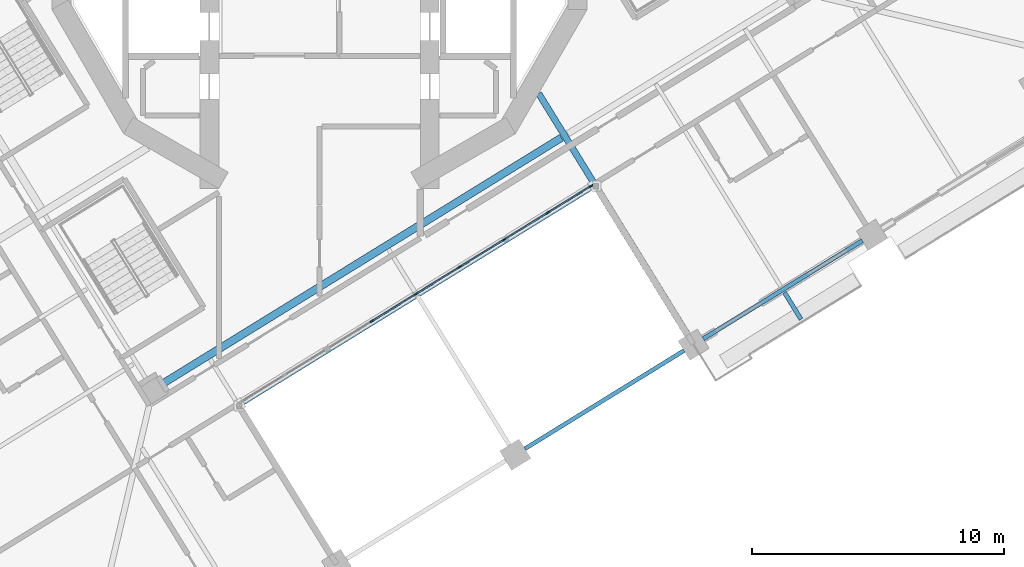
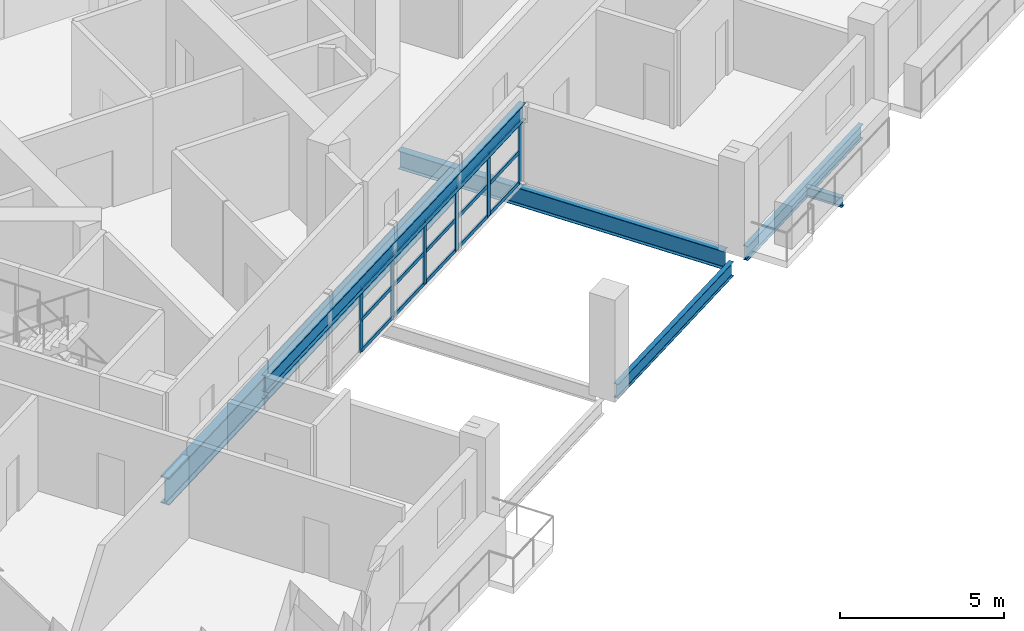
# One storey, part 4 of 22: 21 members, 6 beams, 1 element without a shape of its own.
"""IFC4 building model written with IfcOpenShell, lengths in metres."""

from ifc_helpers import new_model, si_unit, direction, frame, origin, origin_2d, place, context, subcontext, project, spatial, rectangle, i_section, extrude, material, material_profile, profile_set, type_object, element, aggregate, save


model = new_model("IFC4")

# Units and contexts
model_context = context("Model", 3, precision=1e-05, world=origin(), true_north=direction((0.0, 1.0)))
body_context = subcontext(model_context, "Body", "Model", "MODEL_VIEW")
ifc_project = project(units=[si_unit("LENGTHUNIT", "METRE"), si_unit("AREAUNIT", "SQUARE_METRE"), si_unit("VOLUMEUNIT", "CUBIC_METRE"), si_unit("PLANEANGLEUNIT", "RADIAN"), si_unit("MASSUNIT", "GRAM", prefix="KILO")], contexts=[model_context])

# Site, building, storey
site_placement = place(None, origin())
site = spatial("IfcSite", under=ifc_project, at=site_placement, CompositionType="ELEMENT")
building_placement = place(site_placement, origin())
building = spatial("IfcBuilding", under=site, at=building_placement, Name="Cantera Rosa Tower", CompositionType="ELEMENT")
storey_placement = place(building_placement, frame((0.0, 0.0, 178.0)))
storey = spatial("IfcBuildingStorey", under=building, at=storey_placement, Name="L39", CompositionType="ELEMENT", Elevation=178.0)

# Curtain wall, members
ifc_material_1 = material(Name="Aluminium frame with clear glass", Category="aluminium")
curtain_wall_type = type_object("IfcCurtainWallType", Name="CW1 TERRACE POCKET GLAZING", PredefinedType="NOTDEFINED", material=ifc_material_1)
curtain_wall_placement = place(storey_placement, origin())
curtain_wall = element("IfcCurtainWall", 1, at=curtain_wall_placement, inside=storey, type_object=curtain_wall_type, Name="CW1 CW1", PredefinedType="NOTDEFINED")
ifc_material_2 = material(Name="Anodised bronze aluminium", Category="aluminium")
ifc_material_profile_1 = material_profile(ifc_material_2, rectangle(XDim=0.06005859375, YDim=0.179931640625, at=origin_2d()), Name="CW-MULLION 60x180 POCKET")
ifc_profile_set_1 = profile_set([ifc_material_profile_1], Name="Anodised bronze aluminium")
member_type_1 = type_object("IfcMemberType", Name="CW-MULLION 60x180 POCKET", PredefinedType="MULLION", material=ifc_profile_set_1)
member_1_placement = place(storey_placement, frame((2.091552734375, -15.217529296875, 0.0), z_axis=(0.0, 0.0, 1.0), x_axis=(-0.524976580354, 0.851116672425, 0.0)))
member_1 = element("IfcMember", 2, at=member_1_placement, type_object=member_type_1, Name="CW1 mullion 4", PredefinedType="MULLION", context=body_context, shape_type="SweptSolid", body=[
    extrude(rectangle(XDim=0.06005859375, YDim=0.179931640625, at=origin_2d()), origin(), (0.0, 0.0, 1.0), 2.337890625),
])
member_2_placement = place(storey_placement, frame((3.835205078125, -14.14208984375, 0.0), z_axis=(0.0, 0.0, 1.0), x_axis=(-0.524976580354, 0.851116672425, 0.0)))
member_2 = element("IfcMember", 3, at=member_2_placement, type_object=member_type_1, Name="CW1 mullion 5", PredefinedType="MULLION", context=body_context, shape_type="SweptSolid", body=[
    extrude(rectangle(XDim=0.06005859375, YDim=0.179931640625, at=origin_2d()), origin(), (0.0, 0.0, 1.0), 2.337890625),
])
member_3_placement = place(storey_placement, frame((5.5791015625, -13.066650390625, 0.0), z_axis=(0.0, 0.0, 1.0), x_axis=(-0.524976580354, 0.851116672425, 0.0)))
member_3 = element("IfcMember", 4, at=member_3_placement, type_object=member_type_1, Name="CW1 mullion 6", PredefinedType="MULLION", context=body_context, shape_type="SweptSolid", body=[
    extrude(rectangle(XDim=0.06005859375, YDim=0.179931640625, at=origin_2d()), origin(), (0.0, 0.0, 1.0), 2.337890625),
])
member_4_placement = place(storey_placement, frame((7.32275390625, -11.990966796875, 0.0), z_axis=(0.0, 0.0, 1.0), x_axis=(-0.524976580354, 0.851116672425, 0.0)))
member_4 = element("IfcMember", 5, at=member_4_placement, type_object=member_type_1, Name="CW1 mullion 7", PredefinedType="MULLION", context=body_context, shape_type="SweptSolid", body=[
    extrude(rectangle(XDim=0.06005859375, YDim=0.179931640625, at=origin_2d()), origin(), (0.0, 0.0, 1.0), 2.337890625),
])
member_5_placement = place(storey_placement, frame((9.06640625, -10.91552734375, 0.0), z_axis=(0.0, 0.0, 1.0), x_axis=(-0.524976580354, 0.851116672425, 0.0)))
member_5 = element("IfcMember", 6, at=member_5_placement, type_object=member_type_1, Name="CW1 mullion 8", PredefinedType="MULLION", context=body_context, shape_type="SweptSolid", body=[
    extrude(rectangle(XDim=0.06005859375, YDim=0.179931640625, at=origin_2d()), origin(), (0.0, 0.0, 1.0), 2.337890625),
])
member_6_placement = place(storey_placement, frame((10.78466796875, -9.855712890625, 0.0), z_axis=(0.0, 0.0, 1.0), x_axis=(-0.524976580354, 0.851116672425, 0.0)))
member_6 = element("IfcMember", 7, at=member_6_placement, type_object=member_type_1, Name="CW1 mullion 9", PredefinedType="MULLION", context=body_context, shape_type="SweptSolid", body=[
    extrude(rectangle(XDim=0.06005859375, YDim=0.179931640625, at=origin_2d()), origin(), (0.0, 0.0, 1.0), 2.337890625),
])
ifc_material_3 = material(Name="Anodised bronze aluminium", Category="aluminium")
ifc_material_profile_2 = material_profile(ifc_material_3, rectangle(XDim=0.06005859375, YDim=0.139892578125, at=origin_2d()), Name="CW-TRANSOM 60x140 POCKET")
ifc_profile_set_2 = profile_set([ifc_material_profile_2], Name="Anodised bronze aluminium")
member_type_2 = type_object("IfcMemberType", Name="CW-TRANSOM 60x140 POCKET", PredefinedType="USERDEFINED", material=ifc_profile_set_2)
member_7_placement = place(storey_placement, frame((2.1171875, -15.201904296875, 0.030029296875), z_axis=(0.851135216516, 0.524946514615, 0.0), x_axis=(-0.524946514615, 0.851135216516, 0.0)))
member_7 = element("IfcMember", 8, at=member_7_placement, type_object=member_type_2, Name="CW1 transom 4.1", ObjectType="TRANSOM", PredefinedType="USERDEFINED", context=body_context, shape_type="SweptSolid", body=[
    extrude(rectangle(XDim=0.06005859375, YDim=0.139892578125, at=origin_2d()), origin(), (0.0, 0.0, 1.0), 1.98876953125),
])
member_8_placement = place(storey_placement, frame((2.1171875, -15.201904296875, 1.1689453125), z_axis=(0.851135216516, 0.524946514615, 0.0), x_axis=(-0.524946514615, 0.851135216516, 0.0)))
member_8 = element("IfcMember", 9, at=member_8_placement, type_object=member_type_2, Name="CW1 transom 4.2", ObjectType="TRANSOM", PredefinedType="USERDEFINED", context=body_context, shape_type="SweptSolid", body=[
    extrude(rectangle(XDim=0.06005859375, YDim=0.139892578125, at=origin_2d()), origin(), (0.0, 0.0, 1.0), 1.98876953125),
])
member_9_placement = place(storey_placement, frame((2.1171875, -15.201904296875, 2.30810546875), z_axis=(0.851135216516, 0.524946514615, 0.0), x_axis=(-0.524946514615, 0.851135216516, 0.0)))
member_9 = element("IfcMember", 10, at=member_9_placement, type_object=member_type_2, Name="CW1 transom 4.3", ObjectType="TRANSOM", PredefinedType="USERDEFINED", context=body_context, shape_type="SweptSolid", body=[
    extrude(rectangle(XDim=0.06005859375, YDim=0.139892578125, at=origin_2d()), origin(), (0.0, 0.0, 1.0), 1.98876953125),
])
member_10_placement = place(storey_placement, frame((3.86083984375, -14.126220703125, 0.030029296875), z_axis=(0.851135216516, 0.524946514615, 0.0), x_axis=(-0.524946514615, 0.851135216516, 0.0)))
member_10 = element("IfcMember", 11, at=member_10_placement, type_object=member_type_2, Name="CW1 transom 5.1", ObjectType="TRANSOM", PredefinedType="USERDEFINED", context=body_context, shape_type="SweptSolid", body=[
    extrude(rectangle(XDim=0.06005859375, YDim=0.139892578125, at=origin_2d()), origin(), (0.0, 0.0, 1.0), 1.98876953125),
])
member_11_placement = place(storey_placement, frame((3.86083984375, -14.126220703125, 1.1689453125), z_axis=(0.851135216516, 0.524946514615, 0.0), x_axis=(-0.524946514615, 0.851135216516, 0.0)))
member_11 = element("IfcMember", 12, at=member_11_placement, type_object=member_type_2, Name="CW1 transom 5.2", ObjectType="TRANSOM", PredefinedType="USERDEFINED", context=body_context, shape_type="SweptSolid", body=[
    extrude(rectangle(XDim=0.06005859375, YDim=0.139892578125, at=origin_2d()), origin(), (0.0, 0.0, 1.0), 1.98876953125),
])
member_12_placement = place(storey_placement, frame((3.86083984375, -14.126220703125, 2.30810546875), z_axis=(0.851135216516, 0.524946514615, 0.0), x_axis=(-0.524946514615, 0.851135216516, 0.0)))
member_12 = element("IfcMember", 13, at=member_12_placement, type_object=member_type_2, Name="CW1 transom 5.3", ObjectType="TRANSOM", PredefinedType="USERDEFINED", context=body_context, shape_type="SweptSolid", body=[
    extrude(rectangle(XDim=0.06005859375, YDim=0.139892578125, at=origin_2d()), origin(), (0.0, 0.0, 1.0), 1.98876953125),
])
member_13_placement = place(storey_placement, frame((5.6044921875, -13.05078125, 0.030029296875), z_axis=(0.851135216516, 0.524946514615, 0.0), x_axis=(-0.524946514615, 0.851135216516, 0.0)))
member_13 = element("IfcMember", 14, at=member_13_placement, type_object=member_type_2, Name="CW1 transom 6.1", ObjectType="TRANSOM", PredefinedType="USERDEFINED", context=body_context, shape_type="SweptSolid", body=[
    extrude(rectangle(XDim=0.06005859375, YDim=0.139892578125, at=origin_2d()), origin(), (0.0, 0.0, 1.0), 1.98876953125),
])
member_14_placement = place(storey_placement, frame((5.6044921875, -13.05078125, 1.1689453125), z_axis=(0.851135216516, 0.524946514615, 0.0), x_axis=(-0.524946514615, 0.851135216516, 0.0)))
member_14 = element("IfcMember", 15, at=member_14_placement, type_object=member_type_2, Name="CW1 transom 6.2", ObjectType="TRANSOM", PredefinedType="USERDEFINED", context=body_context, shape_type="SweptSolid", body=[
    extrude(rectangle(XDim=0.06005859375, YDim=0.139892578125, at=origin_2d()), origin(), (0.0, 0.0, 1.0), 1.98876953125),
])
member_15_placement = place(storey_placement, frame((5.6044921875, -13.05078125, 2.30810546875), z_axis=(0.851135216516, 0.524946514615, 0.0), x_axis=(-0.524946514615, 0.851135216516, 0.0)))
member_15 = element("IfcMember", 16, at=member_15_placement, type_object=member_type_2, Name="CW1 transom 6.3", ObjectType="TRANSOM", PredefinedType="USERDEFINED", context=body_context, shape_type="SweptSolid", body=[
    extrude(rectangle(XDim=0.06005859375, YDim=0.139892578125, at=origin_2d()), origin(), (0.0, 0.0, 1.0), 1.98876953125),
])
member_16_placement = place(storey_placement, frame((7.34814453125, -11.975341796875, 0.030029296875), z_axis=(0.851114197999, 0.524980591988, 0.0), x_axis=(-0.524980591988, 0.851114197999, 0.0)))
member_16 = element("IfcMember", 17, at=member_16_placement, type_object=member_type_2, Name="CW1 transom 7.1", ObjectType="TRANSOM", PredefinedType="USERDEFINED", context=body_context, shape_type="SweptSolid", body=[
    extrude(rectangle(XDim=0.06005859375, YDim=0.139892578125, at=origin_2d()), origin(), (0.0, 0.0, 1.0), 1.989013671875),
])
member_17_placement = place(storey_placement, frame((7.34814453125, -11.975341796875, 1.1689453125), z_axis=(0.851114197999, 0.524980591988, 0.0), x_axis=(-0.524980591988, 0.851114197999, 0.0)))
member_17 = element("IfcMember", 18, at=member_17_placement, type_object=member_type_2, Name="CW1 transom 7.2", ObjectType="TRANSOM", PredefinedType="USERDEFINED", context=body_context, shape_type="SweptSolid", body=[
    extrude(rectangle(XDim=0.06005859375, YDim=0.139892578125, at=origin_2d()), origin(), (0.0, 0.0, 1.0), 1.989013671875),
])
member_18_placement = place(storey_placement, frame((7.34814453125, -11.975341796875, 2.30810546875), z_axis=(0.851114197999, 0.524980591988, 0.0), x_axis=(-0.524980591988, 0.851114197999, 0.0)))
member_18 = element("IfcMember", 19, at=member_18_placement, type_object=member_type_2, Name="CW1 transom 7.3", ObjectType="TRANSOM", PredefinedType="USERDEFINED", context=body_context, shape_type="SweptSolid", body=[
    extrude(rectangle(XDim=0.06005859375, YDim=0.139892578125, at=origin_2d()), origin(), (0.0, 0.0, 1.0), 1.989013671875),
])
member_19_placement = place(storey_placement, frame((9.092041015625, -10.899658203125, 0.030029296875), z_axis=(0.851092896091, 0.525015125708, 0.0), x_axis=(-0.525015125708, 0.851092896091, 0.0)))
member_19 = element("IfcMember", 20, at=member_19_placement, type_object=member_type_2, Name="CW1 transom 8.1", ObjectType="TRANSOM", PredefinedType="USERDEFINED", context=body_context, shape_type="SweptSolid", body=[
    extrude(rectangle(XDim=0.06005859375, YDim=0.139892578125, at=origin_2d()), origin(), (0.0, 0.0, 1.0), 1.958740234375),
])
member_20_placement = place(storey_placement, frame((9.092041015625, -10.899658203125, 1.1689453125), z_axis=(0.851092896091, 0.525015125708, 0.0), x_axis=(-0.525015125708, 0.851092896091, 0.0)))
member_20 = element("IfcMember", 21, at=member_20_placement, type_object=member_type_2, Name="CW1 transom 8.2", ObjectType="TRANSOM", PredefinedType="USERDEFINED", context=body_context, shape_type="SweptSolid", body=[
    extrude(rectangle(XDim=0.06005859375, YDim=0.139892578125, at=origin_2d()), origin(), (0.0, 0.0, 1.0), 1.958740234375),
])
member_21_placement = place(storey_placement, frame((9.092041015625, -10.899658203125, 2.30810546875), z_axis=(0.851092896091, 0.525015125708, 0.0), x_axis=(-0.525015125708, 0.851092896091, 0.0)))
member_21 = element("IfcMember", 22, at=member_21_placement, type_object=member_type_2, Name="CW1 transom 8.3", ObjectType="TRANSOM", PredefinedType="USERDEFINED", context=body_context, shape_type="SweptSolid", body=[
    extrude(rectangle(XDim=0.06005859375, YDim=0.139892578125, at=origin_2d()), origin(), (0.0, 0.0, 1.0), 1.958740234375),
])
aggregate(curtain_wall, [member_1, member_2, member_3, member_4, member_5, member_6, member_7, member_8, member_9, member_10, member_11, member_12, member_13, member_14, member_15, member_16, member_17, member_18, member_19, member_20, member_21])

# Beams
ifc_material_4 = material(Name="Steel ASTM A992 (Fy 345 MPa)", Category="steel")
ifc_material_profile_3 = material_profile(ifc_material_4, i_section(OverallWidth=0.302001953125, OverallDepth=1.010009765625, WebThickness=0.02099609375, FlangeThickness=0.0400390625, FilletRadius=0.030029296875, at=origin_2d()), Name="W1000X350")
ifc_profile_set_3 = profile_set([ifc_material_profile_3], Name="Steel ASTM A992 (Fy 345 MPa)")
beam_type_1 = type_object("IfcBeamType", Name="STEEL BEAM W1000X350", PredefinedType="BEAM", material=ifc_profile_set_3)
beam_1_placement = place(storey_placement, frame((-6.231689453125, -17.707763671875, -0.7548828125), z_axis=(0.851118702028, 0.524973289852, 0.0), x_axis=(-0.524973289852, 0.851118702028, 0.0)))
element("IfcBeam", 23, at=beam_1_placement, inside=storey, type_object=beam_type_1, Name="RB-Z3-03 L39", PredefinedType="BEAM", context=body_context, shape_type="SweptSolid", body=[
    extrude(i_section(OverallWidth=0.302001953125, OverallDepth=1.010009765625, WebThickness=0.02099609375, FlangeThickness=0.0400390625, FilletRadius=0.030029296875, at=origin_2d()), origin(), (0.0, 0.0, 1.0), 18.610107421875),
])
ifc_material_5 = material(Name="Steel ASTM A992 (Fy 345 MPa)", Category="steel")
ifc_material_profile_4 = material_profile(ifc_material_5, i_section(OverallWidth=0.22802734375, OverallDepth=0.60205078125, WebThickness=0.010498046875, FlangeThickness=0.014892578125, FilletRadius=0.0126953125, at=origin_2d()), Name="W610X101")
ifc_profile_set_4 = profile_set([ifc_material_profile_4], Name="Steel ASTM A992 (Fy 345 MPa)")
beam_type_2 = type_object("IfcBeamType", Name="STEEL BEAM W610X101", PredefinedType="BEAM", material=ifc_profile_set_4)
beam_2_placement = place(storey_placement, frame((-3.17724609375, -18.526123046875, 2.64111328125), z_axis=(0.851119648032, 0.524971756129, 0.0), x_axis=(-0.524971756129, 0.851119648032, 0.0)))
element("IfcBeam", 24, at=beam_2_placement, inside=storey, type_object=beam_type_2, Name="LINTEL SL-L39", PredefinedType="BEAM", context=body_context, shape_type="SweptSolid", body=[
    extrude(i_section(OverallWidth=0.22802734375, OverallDepth=0.60205078125, WebThickness=0.010498046875, FlangeThickness=0.014892578125, FilletRadius=0.0126953125, at=origin_2d()), origin(), (0.0, 0.0, 1.0), 16.5400390625),
])
ifc_material_6 = material(Name="Steel ASTM A992 (Fy 345 MPa)", Category="steel")
ifc_material_profile_5 = material_profile(ifc_material_6, i_section(OverallWidth=0.25390625, OverallDepth=0.677978515625, WebThickness=0.01171875, FlangeThickness=0.016357421875, FilletRadius=0.01513671875, at=origin_2d()), Name="W690X125")
ifc_profile_set_5 = profile_set([ifc_material_profile_5], Name="Steel ASTM A992 (Fy 345 MPa)")
beam_type_3 = type_object("IfcBeamType", Name="STEEL BEAM W690X125", PredefinedType="BEAM", material=ifc_profile_set_5)
beam_3_placement = place(storey_placement, frame((14.61767578125, -15.774658203125, -0.589111328125), z_axis=(-0.524984160378, 0.85111199695, 0.0), x_axis=(-0.85111199695, -0.524984160378, 0.0)))
element("IfcBeam", 25, at=beam_3_placement, inside=storey, type_object=beam_type_3, Name="G-Z3-11 L39", PredefinedType="BEAM", context=body_context, shape_type="SweptSolid", body=[
    extrude(i_section(OverallWidth=0.25390625, OverallDepth=0.677978515625, WebThickness=0.01171875, FlangeThickness=0.016357421875, FilletRadius=0.01513671875, at=origin_2d()), origin(), (0.0, 0.0, 1.0), 11.271728515625),
])
ifc_material_7 = material(Name="Steel ASTM A992 (Fy 345 MPa)", Category="steel")
ifc_material_profile_6 = material_profile(ifc_material_7, i_section(OverallWidth=0.1708984375, OverallDepth=0.35595703125, WebThickness=0.00732421875, FlangeThickness=0.01171875, FilletRadius=0.010009765625, at=origin_2d()), Name="W360X51")
ifc_profile_set_6 = profile_set([ifc_material_profile_6], Name="Steel ASTM A992 (Fy 345 MPa)")
beam_type_4 = type_object("IfcBeamType", Name="STEEL JOIST W360X51", PredefinedType="JOIST", material=ifc_profile_set_6)
beam_4_placement = place(storey_placement, frame((18.462890625, -14.08447265625, -0.427978515625), z_axis=(0.524968880559, -0.851121421681, 0.0), x_axis=(0.851121421681, 0.524968880559, 0.0)))
element("IfcBeam", 26, at=beam_4_placement, inside=storey, type_object=beam_type_4, Name="BS-Z3-23 L39", PredefinedType="JOIST", context=body_context, shape_type="SweptSolid", body=[
    extrude(i_section(OverallWidth=0.1708984375, OverallDepth=0.35595703125, WebThickness=0.00732421875, FlangeThickness=0.01171875, FilletRadius=0.010009765625, at=origin_2d()), origin(), (0.0, 0.0, 1.0), 1.25),
])
ifc_material_8 = material(Name="Steel ASTM A992 (Fy 345 MPa)", Category="steel")
ifc_material_profile_7 = material_profile(ifc_material_8, i_section(OverallWidth=0.166015625, OverallDepth=0.528076171875, WebThickness=0.009765625, FlangeThickness=0.013671875, FilletRadius=0.0126953125, at=origin_2d()), Name="W530X74")
ifc_profile_set_7 = profile_set([ifc_material_profile_7], Name="Steel ASTM A992 (Fy 345 MPa)")
beam_type_5 = type_object("IfcBeamType", Name="STEEL SPANDREL BEAM W530X74", PredefinedType="SPANDREL", material=ifc_profile_set_7)
for number, where, z_axis, x_axis, name in (
    (27, (8.155517578125, -20.289306640625, -0.513916015625), (0.851111085575, 0.524985637909, 0.0), (-0.524985637909, 0.851111085575, 0.0), "EB-Z3-24 L39"),
    (28, (15.23681640625, -15.92138671875, -0.513916015625), (0.85112578684, 0.524961803349, 0.0), (-0.524961803349, 0.85112578684, 0.0), "EB-Z3-25 L39"),
):
    element("IfcBeam", number, at=place(storey_placement, frame(where, z_axis=z_axis, x_axis=x_axis)), inside=storey, type_object=beam_type_5, Name=name, PredefinedType="SPANDREL", context=body_context, shape_type="SweptSolid", body=[
        extrude(i_section(OverallWidth=0.166015625, OverallDepth=0.528076171875, WebThickness=0.009765625, FlangeThickness=0.013671875, FilletRadius=0.0126953125, at=origin_2d()), origin(), (0.0, 0.0, 1.0), 7.420166015625),
    ])

save(model, "model.ifc")
